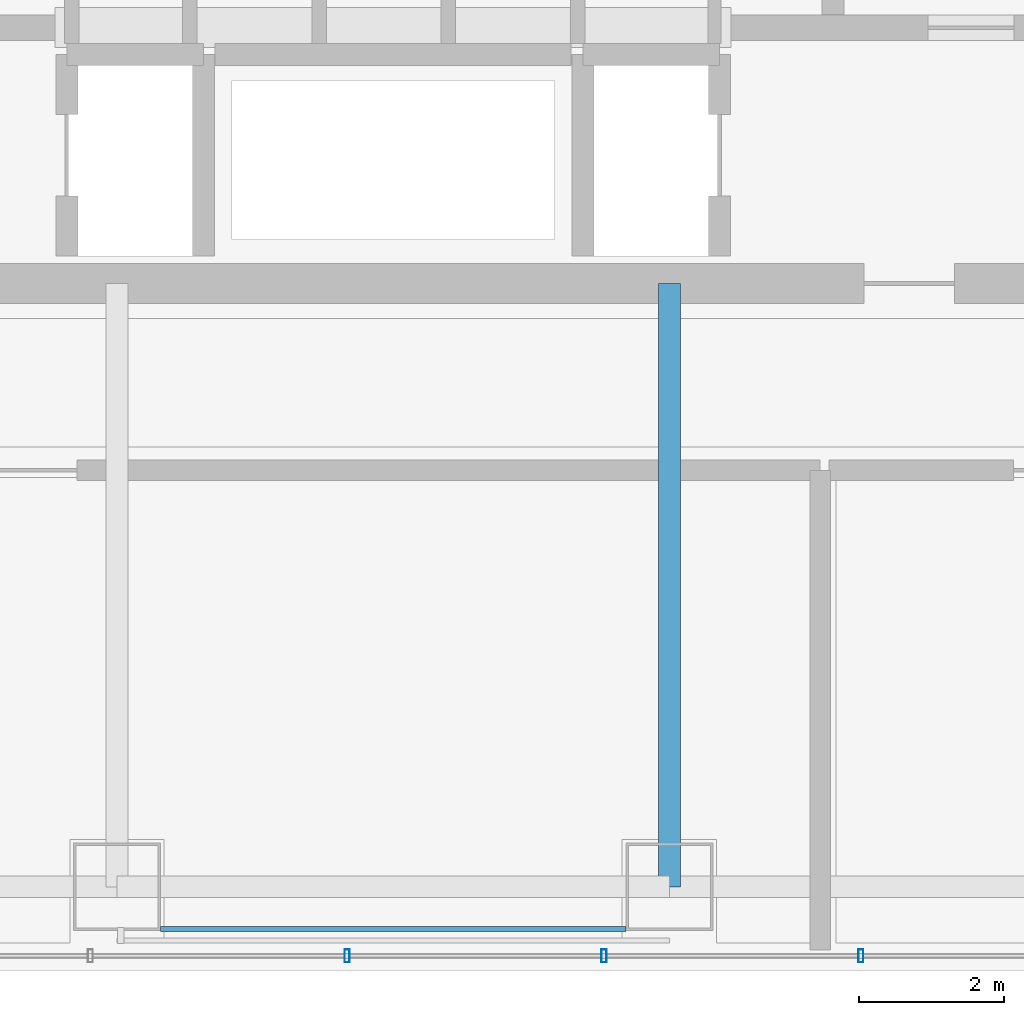
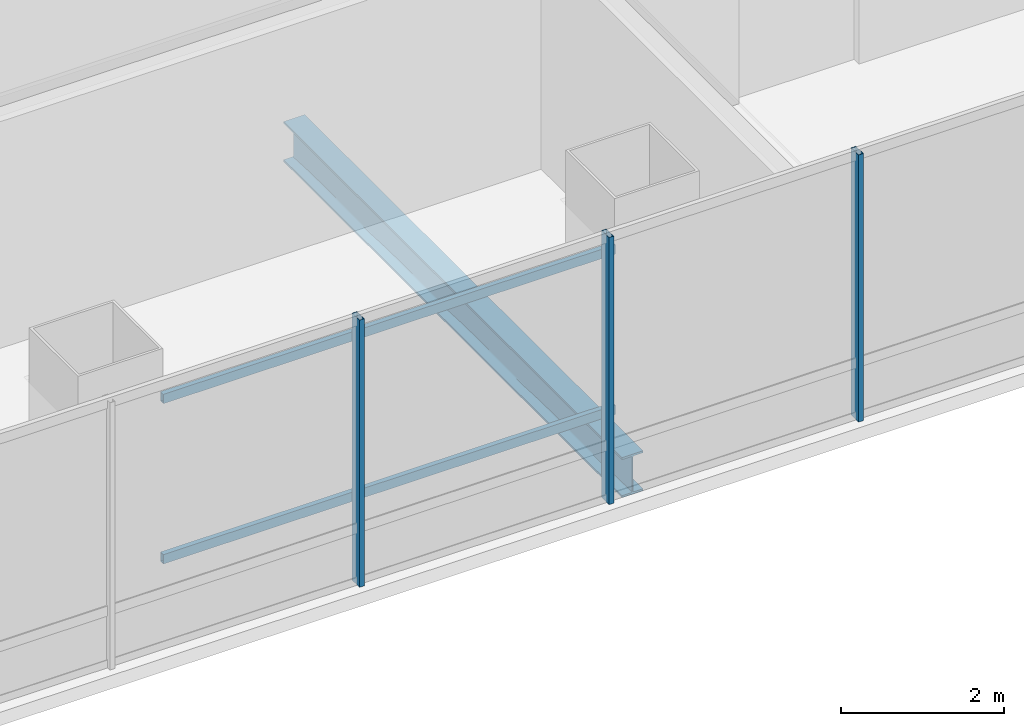
# One storey, part 9 of 42: 5 members, 1 beam, 1 element without a shape of its own.
"""IFC4 building model written with IfcOpenShell, lengths in metres."""

from ifc_helpers import new_model, si_unit, direction, frame, origin, origin_2d, place, context, subcontext, project, spatial, hollow_rectangle, i_section, extrude, material, material_profile, profile_set, type_object, element, aggregate, save


model = new_model("IFC4")

# Units and contexts
model_context = context("Model", 3, precision=1e-05, world=origin(), true_north=direction((0.0, 1.0)))
body_context = subcontext(model_context, "Body", "Model", "MODEL_VIEW")
ifc_project = project(units=[si_unit("LENGTHUNIT", "METRE"), si_unit("AREAUNIT", "SQUARE_METRE"), si_unit("VOLUMEUNIT", "CUBIC_METRE"), si_unit("PLANEANGLEUNIT", "RADIAN"), si_unit("MASSUNIT", "GRAM", prefix="KILO")], contexts=[model_context])

# Site, building, storey
site_placement = place(None, origin())
site = spatial("IfcSite", under=ifc_project, at=site_placement, CompositionType="ELEMENT")
building_placement = place(site_placement, origin())
building = spatial("IfcBuilding", under=site, at=building_placement, Name="Punatoya Terracotta Tower", CompositionType="ELEMENT")
storey_placement = place(building_placement, frame((0.0, 0.0, 304.800048828125)))
storey = spatial("IfcBuildingStorey", under=building, at=storey_placement, Name="L72", CompositionType="ELEMENT", Elevation=304.800048828125)

# Beam
ifc_material_1 = material(Name="Steel S355", Category="steel")
ifc_material_profile_1 = material_profile(ifc_material_1, i_section(OverallWidth=0.300048828125, OverallDepth=0.60009765625, WebThickness=0.015380859375, FlangeThickness=0.030029296875, FilletRadius=0.01806640625, at=origin_2d()))
ifc_profile_set_1 = profile_set([ifc_material_profile_1], Name="Steel S355")
beam_type = type_object("IfcBeamType", Name="BM-PRI-600", PredefinedType="BEAM", material=ifc_profile_set_1)
beam_placement = place(storey_placement, frame((3.800048828125, -17.5, -0.5), z_axis=(0.0, 1.0, 0.0), x_axis=(-1.0, 0.0, 0.0)))
element("IfcBeam", 1, at=beam_placement, inside=storey, type_object=beam_type, Name="BM-L72-PR-S3", PredefinedType="BEAM", context=body_context, shape_type="SweptSolid", body=[
    extrude(i_section(OverallWidth=0.300048828125, OverallDepth=0.60009765625, WebThickness=0.015380859375, FlangeThickness=0.030029296875, FilletRadius=0.01806640625, at=origin_2d()), origin(), (0.0, 0.0, 1.0), 8.300048828125),
])

# Curtain wall, members
ifc_material_2 = material(Name="Aluminium 6063-T6 + Double Low-E Glass", Category="aluminium")
curtain_wall_type = type_object("IfcCurtainWallType", Name="CW-M3", PredefinedType="NOTDEFINED", material=ifc_material_2)
curtain_wall_placement = place(storey_placement, origin())
curtain_wall = element("IfcCurtainWall", 2, at=curtain_wall_placement, inside=storey, type_object=curtain_wall_type, Name="L72 Curtain Wall CW-L72-S01-1", PredefinedType="NOTDEFINED")
ifc_material_3 = material(Name="Aluminium 6063-T6", Category="aluminium")
ifc_material_profile_2 = material_profile(ifc_material_3, hollow_rectangle(XDim=0.070068359375, YDim=0.179931640625, WallThickness=0.00390625, at=origin_2d()))
ifc_profile_set_2 = profile_set([ifc_material_profile_2], Name="Aluminium 6063-T6")
member_type_1 = type_object("IfcMemberType", Name="CW-MUL-M3", PredefinedType="MULLION", material=ifc_profile_set_2)
member_1_placement = place(storey_placement, frame((-0.633056640625, -18.449951171875, 0.0), z_axis=(0.0, 0.0, 1.0), x_axis=(1.0, 0.0, 0.0)))
member_1 = element("IfcMember", 3, at=member_1_placement, type_object=member_type_1, Name="CW-L72-S01-1 Mullion 06", PredefinedType="MULLION", context=body_context, shape_type="SweptSolid", body=[
    extrude(hollow_rectangle(XDim=0.070068359375, YDim=0.179931640625, WallThickness=0.00390625, at=origin_2d()), origin(), (0.0, 0.0, 1.0), 4.0),
])
member_2_placement = place(storey_placement, frame((2.90087890625, -18.449951171875, 0.0), z_axis=(0.0, 0.0, 1.0), x_axis=(1.0, 0.0, 0.0)))
member_2 = element("IfcMember", 4, at=member_2_placement, type_object=member_type_1, Name="CW-L72-S01-1 Mullion 07", PredefinedType="MULLION", context=body_context, shape_type="SweptSolid", body=[
    extrude(hollow_rectangle(XDim=0.070068359375, YDim=0.179931640625, WallThickness=0.00390625, at=origin_2d()), origin(), (0.0, 0.0, 1.0), 4.0),
])
member_3_placement = place(storey_placement, frame((6.43505859375, -18.449951171875, 0.0), z_axis=(0.0, 0.0, 1.0), x_axis=(1.0, 0.0, 0.0)))
member_3 = element("IfcMember", 5, at=member_3_placement, type_object=member_type_1, Name="CW-L72-S01-1 Mullion 08", PredefinedType="MULLION", context=body_context, shape_type="SweptSolid", body=[
    extrude(hollow_rectangle(XDim=0.070068359375, YDim=0.179931640625, WallThickness=0.00390625, at=origin_2d()), origin(), (0.0, 0.0, 1.0), 4.0),
])
aggregate(curtain_wall, [member_1, member_2, member_3])

# Members
ifc_material_profile_3 = material_profile(ifc_material_1, hollow_rectangle(XDim=0.070068359375, YDim=0.139892578125, WallThickness=0.006103515625, at=origin_2d()))
ifc_profile_set_3 = profile_set([ifc_material_profile_3], Name="Steel S355")
member_type_2 = type_object("IfcMemberType", Name="MEM-BAG-RAIL", PredefinedType="USERDEFINED", material=ifc_profile_set_3)
for number, where, z_axis, x_axis, name in (
    (6, (-3.200439453125, -18.08203125, 1.050048828125), (1.0, 0.0, 0.0), (0.0, 1.0, 0.0), "L72 Terracotta Baguette Carrier Rail BAG-L72-S-R1"),
    (7, (-3.200439453125, -18.08203125, 3.449951171875), (1.0, 0.0, 0.0), (0.0, 1.0, 0.0), "L72 Terracotta Baguette Carrier Rail BAG-L72-S-R2"),
):
    element("IfcMember", number, at=place(storey_placement, frame(where, z_axis=z_axis, x_axis=x_axis)), inside=storey, type_object=member_type_2, Name=name, ObjectType="BAGUETTE", PredefinedType="USERDEFINED", context=body_context, shape_type="SweptSolid", body=[
        extrude(hollow_rectangle(XDim=0.070068359375, YDim=0.139892578125, WallThickness=0.006103515625, at=origin_2d()), origin(), (0.0, 0.0, 1.0), 6.40087890625),
    ])

save(model, "model.ifc")
